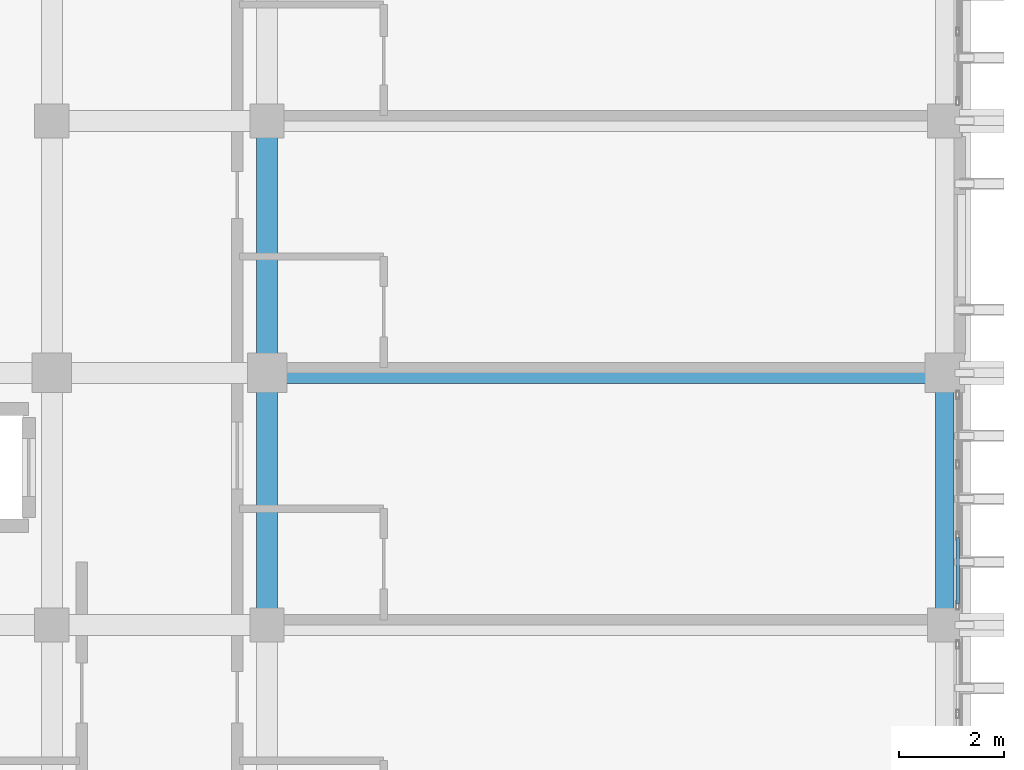
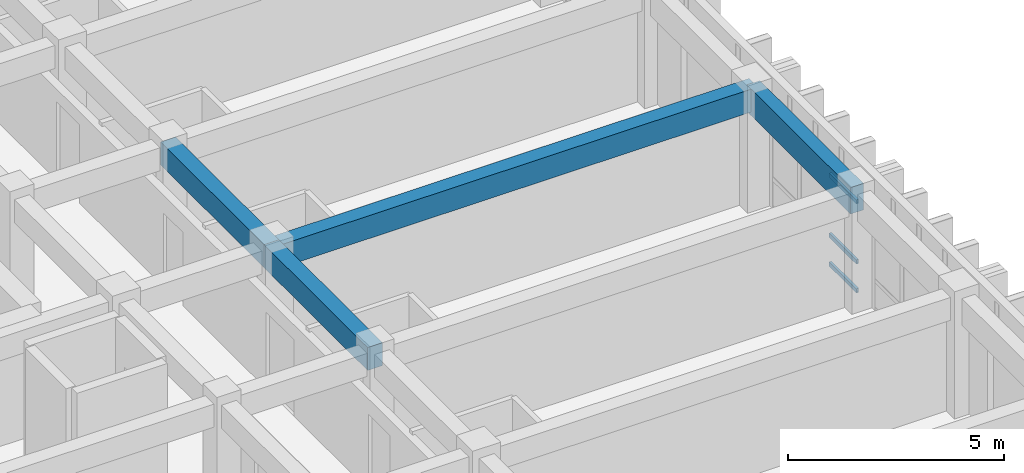
# One storey, part 23 of 64: 4 beams, 3 members, 1 element without a shape of its own.
"""IFC4 building model written with IfcOpenShell, lengths in metres."""

import ifcopenshell
import ifcopenshell.guid

model = None  # the IFC model being written
_history = None  # IfcOwnerHistory: only IFC2X3 demands one
_inside = {}  # id of a spatial element -> (the spatial element, [elements in it])
_under = {}  # id of a project, library or spatial element -> (it, [spatial elements below it])
_declared = {}  # id of a project -> (the project, [libraries it declares])
_typed = {}  # id of a type object -> (the type object, [elements of that type])
_made_of = {}  # id of a material, layer set ... -> (it, [elements and type objects made of it])


def new_model(schema):
    """Start an empty IFC model of exactly this schema.

    Asked for "IFC4X3", IfcOpenShell would pick the latest addendum, in which some entities
    have other attributes; the version numbers below select the first issue.
    IFC2X3 requires an IfcOwnerHistory on every rooted entity: one is made here for all.
    """
    global model, _history
    if schema == "IFC4X3":
        model = ifcopenshell.file(schema_version=(4, 3, 0, 0))
    else:
        model = ifcopenshell.file(schema=schema)
    _inside.clear()
    _under.clear()
    _declared.clear()
    _typed.clear()
    _made_of.clear()
    _history = None
    if model.schema == "IFC2X3":
        org = make("IfcOrganization", Name="unknown")
        user = make(
            "IfcPersonAndOrganization",
            ThePerson=make("IfcPerson", FamilyName="unknown"),
            TheOrganization=org,
        )
        app = make(
            "IfcApplication",
            ApplicationDeveloper=org,
            Version="unknown",
            ApplicationFullName="unknown",
            ApplicationIdentifier="unknown",
        )
        _history = make(
            "IfcOwnerHistory",
            OwningUser=user,
            OwningApplication=app,
            ChangeAction="ADDED",
            CreationDate=0,
        )
    return model


def make(cls, **values):
    """One entity of the class cls with the attributes given. An attribute that is None is left unset."""
    return model.create_entity(
        cls, **{name: value for name, value in values.items() if value is not None}
    )


def rooted(cls, **values):
    """An entity with a GlobalId (a new one), such as an element, a storey or a relation."""
    return make(cls, GlobalId=ifcopenshell.guid.new(), OwnerHistory=_history, **values)


def si_unit(unit_type, name, prefix=None):
    """IfcSIUnit, for example si_unit("LENGTHUNIT", "METRE", prefix="MILLI")."""
    return make("IfcSIUnit", UnitType=unit_type, Prefix=prefix, Name=name)


def assignment(units):
    """IfcUnitAssignment: the units of a project."""
    return None if units is None else make("IfcUnitAssignment", Units=units)


def point(xyz):
    """IfcCartesianPoint."""
    return None if xyz is None else make("IfcCartesianPoint", Coordinates=xyz)


def direction(xyz):
    """IfcDirection."""
    return None if xyz is None else make("IfcDirection", DirectionRatios=xyz)


def frame(location, z_axis=None, x_axis=None):
    """IfcAxis2Placement3D, a coordinate frame: its origin and axes. An axis left out is left unset."""
    return make(
        "IfcAxis2Placement3D",
        Location=point(location),
        Axis=direction(z_axis),
        RefDirection=direction(x_axis),
    )


def frame_2d(location, x_axis=None):
    """IfcAxis2Placement2D, a coordinate frame in the plane: its origin and x axis."""
    return make(
        "IfcAxis2Placement2D", Location=point(location), RefDirection=direction(x_axis)
    )


def origin():
    """The frame at (0, 0, 0) with its axes left unset."""
    return frame((0.0, 0.0, 0.0))


def origin_2d():
    """The frame at (0, 0) in the plane with its x axis left unset."""
    return frame_2d((0.0, 0.0))


def place(relative_to, where):
    """IfcLocalPlacement: puts the frame where relative to a parent placement (None: the world)."""
    return make(
        "IfcLocalPlacement", PlacementRelTo=relative_to, RelativePlacement=where
    )


def context(
    kind, dimensions, precision=None, world=None, true_north=None, identifier=None
):
    """IfcGeometricRepresentationContext, for example the 3D "Model" context."""
    return make(
        "IfcGeometricRepresentationContext",
        ContextIdentifier=identifier,
        ContextType=kind,
        CoordinateSpaceDimension=dimensions,
        Precision=precision,
        WorldCoordinateSystem=world,
        TrueNorth=true_north,
    )


def subcontext(parent, identifier, kind, view, scale=None):
    """IfcGeometricRepresentationSubContext, for example "Body" below "Model"."""
    return make(
        "IfcGeometricRepresentationSubContext",
        ContextIdentifier=identifier,
        ContextType=kind,
        ParentContext=parent,
        TargetScale=scale,
        TargetView=view,
    )


def project(units=None, contexts=None):
    """IfcProject with its units and contexts."""
    return rooted(
        "IfcProject",
        Name="project",
        RepresentationContexts=contexts,
        UnitsInContext=assignment(units),
    )


def spatial(cls, under=None, at=None, **own):
    """A site, building, storey or space (cls), placed at a placement, below another one or the project."""
    s = rooted(cls, ObjectPlacement=at, **own)
    if under is not None:
        _under.setdefault(under.id(), (under, []))[1].append(s)
    return s


def profile(cls, at=None, kind="AREA", **sizes):
    """A parametric profile (cls). Its sizes go by their IFC names, for example OverallWidth=200.0."""
    return make(cls, ProfileType=kind, Position=at, **sizes)


def rectangle(**sizes):
    """IfcRectangleProfileDef."""
    return profile("IfcRectangleProfileDef", **sizes)


def hollow_rectangle(**sizes):
    """IfcRectangleHollowProfileDef."""
    return profile("IfcRectangleHollowProfileDef", **sizes)


def extrude(swept, where, along, depth):
    """IfcExtrudedAreaSolid: the profile swept, set in the frame where, extruded along a direction by depth."""
    return make(
        "IfcExtrudedAreaSolid",
        SweptArea=swept,
        Position=where,
        ExtrudedDirection=direction(along),
        Depth=depth,
    )


def shape(context_of_items, identifier, shape_type, items):
    """IfcShapeRepresentation: the items that make up one representation, for example the "Body"."""
    return make(
        "IfcShapeRepresentation",
        ContextOfItems=context_of_items,
        RepresentationIdentifier=identifier,
        RepresentationType=shape_type,
        Items=items,
    )


def material(Name=None, Category=None):
    """IfcMaterial."""
    return make("IfcMaterial", Name=Name, Category=Category)


def layer(
    of_material, thickness, ventilated=None, Name=None, Category=None, Priority=None
):
    """IfcMaterialLayer: one layer of a wall or slab, of a material (None: an air gap)."""
    return make(
        "IfcMaterialLayer",
        Material=of_material,
        LayerThickness=thickness,
        IsVentilated=ventilated,
        Name=Name,
        Category=Category,
        Priority=Priority,
    )


def layer_set(layers, Name=None):
    """IfcMaterialLayerSet."""
    return make("IfcMaterialLayerSet", MaterialLayers=layers, LayerSetName=Name)


def material_profile(
    of_material, cross_section, Name=None, Category=None, Priority=None
):
    """IfcMaterialProfile: a cross section and its material."""
    return make(
        "IfcMaterialProfile",
        Name=Name,
        Material=of_material,
        Profile=cross_section,
        Priority=Priority,
        Category=Category,
    )


def profile_set(profiles, Name=None, composite=None):
    """IfcMaterialProfileSet."""
    return make(
        "IfcMaterialProfileSet",
        Name=Name,
        MaterialProfiles=profiles,
        CompositeProfile=composite,
    )


def made_of(thing, what):
    """Note that an element or type object is made of a material, layer set ...; save() writes the relation."""
    if what is not None:
        _made_of.setdefault(what.id(), (what, []))[1].append(thing)
    return thing


def type_object(cls, material=None, **own):
    """A type object (cls), such as IfcWallType, which elements share."""
    return made_of(rooted(cls, **own), material)


def element(
    cls,
    number,
    at=None,
    inside=None,
    cuts=None,
    type_object=None,
    material=None,
    context=None,
    identifier="Body",
    shape_type=None,
    held_by="IfcProductDefinitionShape",
    body=None,
    shapes=None,
    **own,
):
    """One element of the class cls, such as IfcWall. Its Tag is "e" and its number.

    at: its placement. inside: the storey or other place that contains it. cuts: it is an
    opening in that element (IfcRelVoidsElement). A single representation is given by context,
    identifier, shape_type and body (its items); several are given by shapes. held_by: the class
    of the entity that holds the representations. save() writes the other relations.
    """
    e = rooted(cls, Tag="e%d" % number, ObjectPlacement=at, **own)
    if body is not None:
        shapes = [shape(context, identifier, shape_type, body)]
    if shapes is not None:
        e.Representation = make(held_by, Representations=shapes)
    if inside is not None:
        _inside.setdefault(inside.id(), (inside, []))[1].append(e)
    if cuts is not None:
        rooted(
            "IfcRelVoidsElement", RelatingBuildingElement=cuts, RelatedOpeningElement=e
        )
    if type_object is not None:
        _typed.setdefault(type_object.id(), (type_object, []))[1].append(e)
    return made_of(e, material)


def aggregate(whole, parts):
    """IfcRelAggregates: a whole, such as a stair, and the parts it consists of."""
    return rooted("IfcRelAggregates", RelatingObject=whole, RelatedObjects=parts)


def save(model, path):
    """Write the relations noted so far, then the file.

    IfcRelAggregates (storeys below a building ...), IfcRelContainedInSpatialStructure (elements
    in a storey), IfcRelDefinesByType, IfcRelAssociatesMaterial and IfcRelDeclares: one each for
    every whole, place, type object, material and project.
    """
    for whole, parts in _under.values():
        aggregate(whole, parts)
    for where, things in _inside.values():
        rooted(
            "IfcRelContainedInSpatialStructure",
            RelatedElements=things,
            RelatingStructure=where,
        )
    for kind, things in _typed.values():
        rooted("IfcRelDefinesByType", RelatedObjects=things, RelatingType=kind)
    for what, things in _made_of.values():
        rooted("IfcRelAssociatesMaterial", RelatedObjects=things, RelatingMaterial=what)
    for by, libraries in _declared.values():
        rooted("IfcRelDeclares", RelatingContext=by, RelatedDefinitions=libraries)
    model.write(path)


model = new_model("IFC4")

# Units and contexts
model_context = context("Model", 3, precision=1e-05, world=origin(), true_north=direction((0.0, 1.0)))
body_context = subcontext(model_context, "Body", "Model", "MODEL_VIEW")
ifc_project = project(units=[si_unit("LENGTHUNIT", "METRE"), si_unit("AREAUNIT", "SQUARE_METRE"), si_unit("VOLUMEUNIT", "CUBIC_METRE"), si_unit("PLANEANGLEUNIT", "RADIAN"), si_unit("MASSUNIT", "GRAM", prefix="KILO")], contexts=[model_context])

# Site, building, storey
site_placement = place(None, origin())
site = spatial("IfcSite", under=ifc_project, at=site_placement, CompositionType="ELEMENT")
building_placement = place(site_placement, origin())
building = spatial("IfcBuilding", under=site, at=building_placement, Name="Nakhvara Creek Congress Hotel", CompositionType="ELEMENT")
storey_placement = place(building_placement, frame((0.0, 0.0, 28.199951171875)))
storey = spatial("IfcBuildingStorey", under=building, at=storey_placement, Name="L06", CompositionType="ELEMENT", Elevation=28.199951171875)

# Beams
ifc_material_1 = material(Name="Concrete C40/50", Category="concrete")
ifc_material_profile_1 = material_profile(ifc_material_1, rectangle(XDim=0.39990234375, YDim=0.64990234375, at=origin_2d()), Name="RC-BM 400x650", Category="LoadBearing")
ifc_profile_set_1 = profile_set([ifc_material_profile_1], Name="Concrete C40/50")
beam_type_1 = type_object("IfcBeamType", Name="BM-RC-400X650", PredefinedType="BEAM", material=ifc_profile_set_1)
beam_1_placement = place(storey_placement, frame((166.449951171875, 76.800048828125, 3.01513671875), z_axis=(1.0, 0.0, 0.0), x_axis=(0.0, 1.0, 0.0)))
element("IfcBeam", 1, at=beam_1_placement, inside=storey, type_object=beam_type_1, Name="Beam B06-L06-2258", PredefinedType="BEAM", context=body_context, shape_type="SweptSolid", body=[
    extrude(rectangle(XDim=0.39990234375, YDim=0.64990234375, at=origin_2d()), origin(), (0.0, 0.0, 1.0), 12.900146484375),
])
for number, where, z_axis, x_axis, name in (
    (2, (166.449951171875, 72.0, 3.01513671875), (0.0, 1.0, 0.0), (-1.0, 0.0, 0.0), "Beam B06-L06-2259"),
    (3, (166.449951171875, 76.800048828125, 3.01513671875), (0.0, 1.0, 0.0), (-1.0, 0.0, 0.0), "Beam B06-L06-2260"),
):
    element("IfcBeam", number, at=place(storey_placement, frame(where, z_axis=z_axis, x_axis=x_axis)), inside=storey, type_object=beam_type_1, Name=name, PredefinedType="BEAM", context=body_context, shape_type="SweptSolid", body=[
        extrude(rectangle(XDim=0.39990234375, YDim=0.64990234375, at=origin_2d()), origin(), (0.0, 0.0, 1.0), 4.800048828125),
    ])
ifc_material_profile_2 = material_profile(ifc_material_1, rectangle(XDim=0.35009765625, YDim=0.75, at=origin_2d()), Name="RC-SPANDREL 350x750", Category="LoadBearing")
ifc_profile_set_2 = profile_set([ifc_material_profile_2], Name="Concrete C40/50")
beam_type_2 = type_object("IfcBeamType", Name="BM-SPN-350X750", PredefinedType="SPANDREL", material=ifc_profile_set_2)
beam_2_placement = place(storey_placement, frame((179.35009765625, 72.0, 2.965087890625), z_axis=(0.0, 1.0, 0.0), x_axis=(-1.0, 0.0, 0.0)))
element("IfcBeam", 4, at=beam_2_placement, inside=storey, type_object=beam_type_2, Name="Beam SP1-L06-2282", PredefinedType="SPANDREL", context=body_context, shape_type="SweptSolid", body=[
    extrude(rectangle(XDim=0.35009765625, YDim=0.75, at=origin_2d()), origin(), (0.0, 0.0, 1.0), 4.800048828125),
])

# Curtain wall, members
ifc_material_2 = material(Name="Bronze-anodised aluminium AW-6063-T6 and double-silver low-E glass", Category="aluminium")
ifc_layer = layer(ifc_material_2, 0.199951171875)
ifc_layer_set = layer_set([ifc_layer], Name="Bronze-anodised aluminium AW-6063-T6 and double-silver low-E glass")
curtain_wall_type = type_object("IfcCurtainWallType", Name="CW-HTL-UNIT", PredefinedType="USERDEFINED", material=ifc_layer_set)
curtain_wall_placement = place(storey_placement, origin())
curtain_wall = element("IfcCurtainWall", 5, at=curtain_wall_placement, inside=storey, type_object=curtain_wall_type, Name="Curtain Wall CW239", ObjectType="UNITISED", PredefinedType="USERDEFINED")
ifc_material_3 = material(Name="Bronze-anodised aluminium AW-6063-T6", Category="aluminium")
ifc_material_profile_3 = material_profile(ifc_material_3, hollow_rectangle(XDim=0.06494140625, YDim=0.1201171875, WallThickness=0.00390625, at=origin_2d()), Name="ALU-TRAN 65x120x4", Category="LoadBearing")
ifc_profile_set_3 = profile_set([ifc_material_profile_3], Name="Bronze-anodised aluminium AW-6063-T6")
member_type = type_object("IfcMemberType", Name="CW-TRAN-120", PredefinedType="USERDEFINED", material=ifc_profile_set_3)
member_1_placement = place(storey_placement, frame((179.60009765625, 73.6640625, 0.032470703125), z_axis=(0.0, -1.0, 0.0), x_axis=(1.0, 0.0, 0.0)))
member_1 = element("IfcMember", 6, at=member_1_placement, type_object=member_type, Name="CW239 transom 3.1", ObjectType="TRANSOM", PredefinedType="USERDEFINED", context=body_context, shape_type="SweptSolid", body=[
    extrude(hollow_rectangle(XDim=0.06494140625, YDim=0.1201171875, WallThickness=0.00390625, at=origin_2d()), origin(), (0.0, 0.0, 1.0), 1.259033203125),
])
member_2_placement = place(storey_placement, frame((179.60009765625, 73.6640625, 0.85009765625), z_axis=(0.0, -1.0, 0.0), x_axis=(1.0, 0.0, 0.0)))
member_2 = element("IfcMember", 7, at=member_2_placement, type_object=member_type, Name="CW239 transom 3.2", ObjectType="TRANSOM", PredefinedType="USERDEFINED", context=body_context, shape_type="SweptSolid", body=[
    extrude(hollow_rectangle(XDim=0.06494140625, YDim=0.1201171875, WallThickness=0.00390625, at=origin_2d()), origin(), (0.0, 0.0, 1.0), 1.259033203125),
])
member_3_placement = place(storey_placement, frame((179.60009765625, 73.6640625, 2.549560546875), z_axis=(0.0, -1.0, 0.0), x_axis=(1.0, 0.0, 0.0)))
member_3 = element("IfcMember", 8, at=member_3_placement, type_object=member_type, Name="CW239 transom 3.3", ObjectType="TRANSOM", PredefinedType="USERDEFINED", context=body_context, shape_type="SweptSolid", body=[
    extrude(hollow_rectangle(XDim=0.06494140625, YDim=0.1201171875, WallThickness=0.00390625, at=origin_2d()), origin(), (0.0, 0.0, 1.0), 1.259033203125),
])
aggregate(curtain_wall, [member_1, member_2, member_3])

save(model, "model.ifc")
